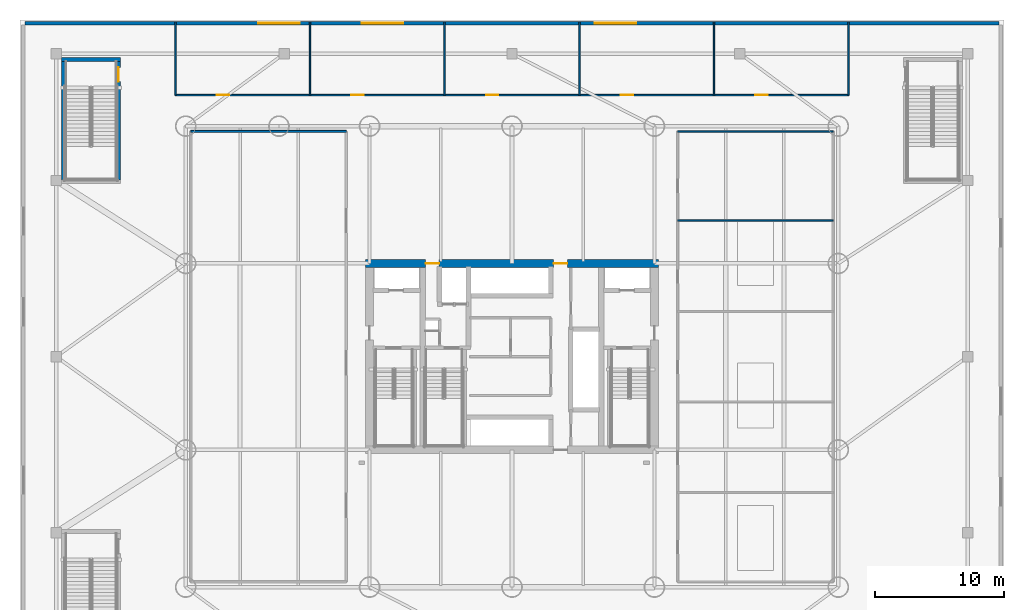
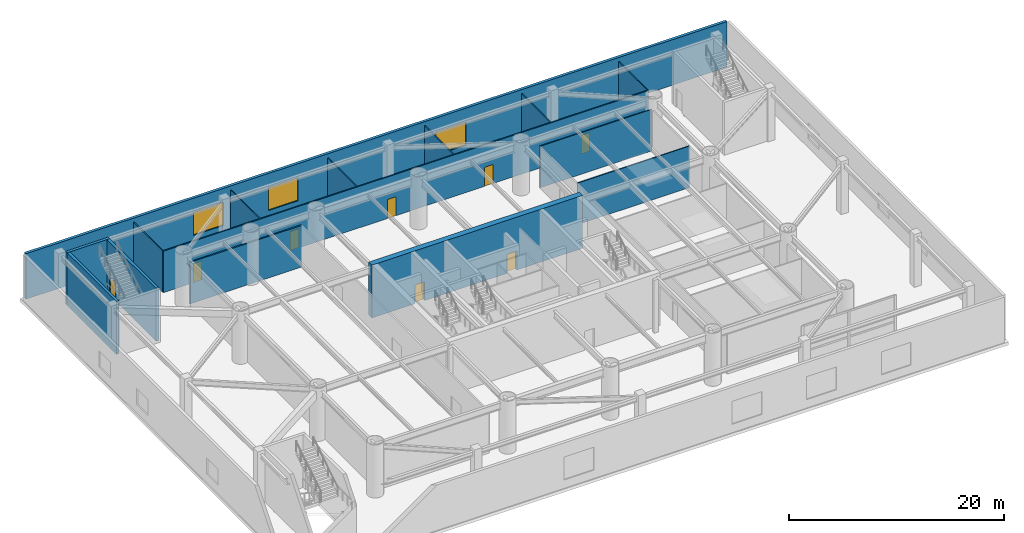
# One storey, part 8 of 17: 15 walls, 8 doors, 3 windows, 11 openings.
"""IFC4 building model written with IfcOpenShell, lengths in metres."""

from ifc_helpers import new_model, si_unit, direction, frame, frame_2d, origin, place, context, subcontext, project, spatial, rectangle, extrude, material, layer, layer_set, type_object, element, fill, save


model = new_model("IFC4")

# Units and contexts
model_context = context("Model", 3, precision=1e-05, world=origin(), true_north=direction((0.0, 1.0)))
body_context = subcontext(model_context, "Body", "Model", "MODEL_VIEW")
ifc_project = project(units=[si_unit("LENGTHUNIT", "METRE"), si_unit("AREAUNIT", "SQUARE_METRE"), si_unit("VOLUMEUNIT", "CUBIC_METRE"), si_unit("PLANEANGLEUNIT", "RADIAN"), si_unit("MASSUNIT", "GRAM", prefix="KILO")], contexts=[model_context])

# Site, building, storey
site_placement = place(None, origin())
site = spatial("IfcSite", under=ifc_project, at=site_placement, CompositionType="ELEMENT")
building_placement = place(site_placement, origin())
building = spatial("IfcBuilding", under=site, at=building_placement, Name="Bramvorn Convention Spire", CompositionType="ELEMENT")
storey_placement = place(building_placement, frame((0.0, 0.0, 24.0)))
storey = spatial("IfcBuildingStorey", under=building, at=storey_placement, Name="L04", CompositionType="ELEMENT", Elevation=24.0)

# Wall, openings, doors
ifc_material_1 = material(Name="Concrete C60/70", Category="concrete")
ifc_layer_1 = layer(ifc_material_1, 0.60009765625)
ifc_layer_set_1 = layer_set([ifc_layer_1], Name="Concrete C60/70 - WL-CORE-600")
wall_type_1 = type_object("IfcWallType", Name="WL-CORE-600", PredefinedType="SHEAR", material=ifc_layer_set_1)
wall_1_placement = place(storey_placement, frame((26.699951171875, 33.199951171875, 0.0), z_axis=(0.0, 0.0, 1.0), x_axis=(1.0, 0.0, 0.0)))
wall_1 = element("IfcWall", 1, at=wall_1_placement, inside=storey, type_object=wall_type_1, Name="L04 North RC core shear wall", PredefinedType="SHEAR", context=body_context, shape_type="SweptSolid", body=[
    extrude(rectangle(XDim=22.60009765625, YDim=0.60009765625, at=frame_2d((11.300048828125, 0.0))), origin(), (0.0, 0.0, 1.0), 6.0),
])
opening_1_placement = place(wall_1_placement, frame((4.6201171875, 0.0, 0.0)))
opening_1 = element("IfcOpeningElement", 2, at=opening_1_placement, cuts=wall_1, Name="Opening DL-105", PredefinedType="OPENING", context=body_context, shape_type="SweptSolid", body=[
    extrude(rectangle(XDim=1.050048828125, YDim=2.14990234375, at=frame_2d((0.52490234375, 1.074951171875))), frame((0.0, 0.31005859375, 0.0), z_axis=(0.0, -1.0, 0.0), x_axis=(1.0, 0.0, 0.0)), (0.0, 0.0, 1.0), 0.6201171875),
])
opening_2_placement = place(wall_1_placement, frame((14.52001953125, 0.0, 0.0)))
opening_2 = element("IfcOpeningElement", 3, at=opening_2_placement, cuts=wall_1, Name="Opening DL-105", PredefinedType="OPENING", context=body_context, shape_type="SweptSolid", body=[
    extrude(rectangle(XDim=1.050048828125, YDim=2.14990234375, at=frame_2d((0.52490234375, 1.074951171875))), frame((0.0, 0.31005859375, 0.0), z_axis=(0.0, -1.0, 0.0), x_axis=(1.0, 0.0, 0.0)), (0.0, 0.0, 1.0), 0.6201171875),
])
ifc_material_2 = material(Name="Smoke-Sealed Fire Lobby Timber-Core Door", Category="wood")
door_type_1 = type_object("IfcDoorType", Name="DR-LOBBY-1050", OperationType="NOTDEFINED", PredefinedType="DOOR", material=ifc_material_2)
door_1_placement = place(opening_1_placement, origin())
door_1 = element("IfcDoor", 4, at=door_1_placement, inside=storey, type_object=door_type_1, Name="L04 Service & Stair ST3 Lobby north corridor door", OperationType="SINGLE_SWING_LEFT", OverallHeight=2.14990234375, OverallWidth=1.050048828125, PredefinedType="DOOR", context=body_context, shape_type="SweptSolid", body=[
    extrude(rectangle(XDim=1.050048828125, YDim=2.14990234375, at=frame_2d((0.52490234375, 1.074951171875))), frame((0.0, 0.02490234375, 0.0), z_axis=(0.0, -1.0, 0.0), x_axis=(1.0, 0.0, 0.0)), (0.0, 0.0, 1.0), 0.050048828125),
])
fill(opening_1, door_1)
door_2_placement = place(opening_2_placement, origin())
door_2 = element("IfcDoor", 5, at=door_2_placement, inside=storey, type_object=door_type_1, Name="L04 North Lift Lobby fire door", OperationType="SINGLE_SWING_LEFT", OverallHeight=2.14990234375, OverallWidth=1.050048828125, PredefinedType="DOOR", context=body_context, shape_type="SweptSolid", body=[
    extrude(rectangle(XDim=1.050048828125, YDim=2.14990234375, at=frame_2d((0.52490234375, 1.074951171875))), frame((0.0, 0.02490234375, 0.0), z_axis=(0.0, -1.0, 0.0), x_axis=(1.0, 0.0, 0.0)), (0.0, 0.0, 1.0), 0.050048828125),
])
fill(opening_2, door_2)

# Wall, openings, windows
ifc_material_3 = material(Name="Precast Concrete C40/50 with Bronze Terracotta Rainscreen", Category="masonry")
ifc_layer_2 = layer(ifc_material_3, 0.300048828125)
ifc_layer_set_2 = layer_set([ifc_layer_2], Name="Precast Concrete C40/50 with Bronze Terracotta Rainscreen - WL-EXT-BRONZE-300")
wall_type_2 = type_object("IfcWallType", Name="WL-EXT-BRONZE-300", PredefinedType="SOLIDWALL", material=ifc_layer_set_2)
wall_2_placement = place(storey_placement, frame((0.39990234375, 51.75, 0.0), z_axis=(0.0, 0.0, 1.0), x_axis=(1.0, 0.0, 0.0)))
wall_2 = element("IfcWall", 6, at=wall_2_placement, inside=storey, type_object=wall_type_2, Name="L04 North podium bronze facade wall", PredefinedType="SOLIDWALL", context=body_context, shape_type="SweptSolid", body=[
    extrude(rectangle(XDim=75.2001953125, YDim=0.300048828125, at=frame_2d((37.60009765625, 0.0))), origin(), (0.0, 0.0, 1.0), 5.159912109375),
])
opening_3_placement = place(wall_2_placement, frame((18.0, 0.0, 0.949951171875)))
opening_3 = element("IfcOpeningElement", 7, at=opening_3_placement, cuts=wall_2, Name="Opening WN10", PredefinedType="OPENING", context=body_context, shape_type="SweptSolid", body=[
    extrude(rectangle(XDim=3.199951171875, YDim=2.60009765625, at=frame_2d((1.60009765625, 1.300048828125))), frame((0.0, 0.159912109375, 0.0), z_axis=(0.0, -1.0, 0.0), x_axis=(1.0, 0.0, 0.0)), (0.0, 0.0, 1.0), 0.320068359375),
])
opening_4_placement = place(wall_2_placement, frame((26.0, 0.0, 0.949951171875)))
opening_4 = element("IfcOpeningElement", 8, at=opening_4_placement, cuts=wall_2, Name="Opening WN10", PredefinedType="OPENING", context=body_context, shape_type="SweptSolid", body=[
    extrude(rectangle(XDim=3.199951171875, YDim=2.60009765625, at=frame_2d((1.60009765625, 1.300048828125))), frame((0.0, 0.159912109375, 0.0), z_axis=(0.0, -1.0, 0.0), x_axis=(1.0, 0.0, 0.0)), (0.0, 0.0, 1.0), 0.320068359375),
])
opening_5_placement = place(wall_2_placement, frame((44.0, 0.0, 0.949951171875)))
opening_5 = element("IfcOpeningElement", 9, at=opening_5_placement, cuts=wall_2, Name="Opening WN10", PredefinedType="OPENING", context=body_context, shape_type="SweptSolid", body=[
    extrude(rectangle(XDim=3.199951171875, YDim=2.60009765625, at=frame_2d((1.60009765625, 1.300048828125))), frame((0.0, 0.159912109375, 0.0), z_axis=(0.0, -1.0, 0.0), x_axis=(1.0, 0.0, 0.0)), (0.0, 0.0, 1.0), 0.320068359375),
])
ifc_material_4 = material(Name="Thermally Broken Bronze Aluminium & Triple Low-E Glass", Category="aluminium")
window_type = type_object("IfcWindowType", Name="WN-POD-3200X2600", PartitioningType="SINGLE_PANEL", PredefinedType="WINDOW", material=ifc_material_4)
window_1_placement = place(opening_3_placement, origin())
window_1 = element("IfcWindow", 10, at=window_1_placement, inside=storey, type_object=window_type, Name="L04 North operable convention window 2", OverallHeight=2.60009765625, OverallWidth=3.199951171875, PartitioningType="SINGLE_PANEL", PredefinedType="WINDOW", context=body_context, shape_type="SweptSolid", body=[
    extrude(rectangle(XDim=3.199951171875, YDim=2.60009765625, at=frame_2d((1.60009765625, 1.300048828125))), frame((0.0, 0.030029296875, 0.0), z_axis=(0.0, -1.0, 0.0), x_axis=(1.0, 0.0, 0.0)), (0.0, 0.0, 1.0), 0.06005859375),
])
fill(opening_3, window_1)
window_2_placement = place(opening_4_placement, origin())
window_2 = element("IfcWindow", 11, at=window_2_placement, inside=storey, type_object=window_type, Name="L04 North operable convention window 3", OverallHeight=2.60009765625, OverallWidth=3.199951171875, PartitioningType="SINGLE_PANEL", PredefinedType="WINDOW", context=body_context, shape_type="SweptSolid", body=[
    extrude(rectangle(XDim=3.199951171875, YDim=2.60009765625, at=frame_2d((1.60009765625, 1.300048828125))), frame((0.0, 0.030029296875, 0.0), z_axis=(0.0, -1.0, 0.0), x_axis=(1.0, 0.0, 0.0)), (0.0, 0.0, 1.0), 0.06005859375),
])
fill(opening_4, window_2)
window_3_placement = place(opening_5_placement, origin())
window_3 = element("IfcWindow", 12, at=window_3_placement, inside=storey, type_object=window_type, Name="L04 North operable convention window 4", OverallHeight=2.60009765625, OverallWidth=3.199951171875, PartitioningType="SINGLE_PANEL", PredefinedType="WINDOW", context=body_context, shape_type="SweptSolid", body=[
    extrude(rectangle(XDim=3.199951171875, YDim=2.60009765625, at=frame_2d((1.60009765625, 1.300048828125))), frame((0.0, 0.030029296875, 0.0), z_axis=(0.0, -1.0, 0.0), x_axis=(1.0, 0.0, 0.0)), (0.0, 0.0, 1.0), 0.06005859375),
])
fill(opening_5, window_3)

# Walls
ifc_material_5 = material(Name="Lightweight En-Suite & Wet-Wall Partition", Category="gypsum")
ifc_layer_3 = layer(ifc_material_5, 0.110107421875)
ifc_layer_set_3 = layer_set([ifc_layer_3], Name="Lightweight En-Suite & Wet-Wall Partition - WL-PART-110")
wall_type_3 = type_object("IfcWallType", Name="WL-PART-110", PredefinedType="PARTITIONING", material=ifc_layer_set_3)
for number, where, z_axis, x_axis, name in (
    (13, (50.800048828125, 36.5, 0.0), (0.0, 0.0, 1.0), (1.0, 0.0, 0.0), "L04 Seminar divider 4"),
    (14, (50.800048828125, 43.39990234375, 0.0), (0.0, 0.0, 1.0), (1.0, 0.0, 0.0), "L04 Seminar north wall"),
):
    element("IfcWall", number, at=place(storey_placement, frame(where, z_axis=z_axis, x_axis=x_axis)), inside=storey, type_object=wall_type_3, Name=name, PredefinedType="PARTITIONING", context=body_context, shape_type="SweptSolid", body=[
        extrude(rectangle(XDim=12.0, YDim=0.110107421875, at=frame_2d((6.0, 0.0))), origin(), (0.0, 0.0, 1.0), 4.7099609375),
    ])
for number, where, z_axis, x_axis, name in (
    (15, (12.0, 46.199951171875, 0.0), (0.0, 0.0, 1.0), (0.0, 1.0, 0.0), "L04 North divider 0"),
    (16, (22.39990234375, 46.199951171875, 0.0), (0.0, 0.0, 1.0), (0.0, 1.0, 0.0), "L04 North divider 1"),
    (17, (32.800048828125, 46.199951171875, 0.0), (0.0, 0.0, 1.0), (0.0, 1.0, 0.0), "L04 North divider 2"),
    (18, (43.199951171875, 46.199951171875, 0.0), (0.0, 0.0, 1.0), (0.0, 1.0, 0.0), "L04 North divider 3"),
    (19, (53.60009765625, 46.199951171875, 0.0), (0.0, 0.0, 1.0), (0.0, 1.0, 0.0), "L04 North divider 4"),
    (20, (64.0, 46.199951171875, 0.0), (0.0, 0.0, 1.0), (0.0, 1.0, 0.0), "L04 North east end wall"),
):
    element("IfcWall", number, at=place(storey_placement, frame(where, z_axis=z_axis, x_axis=x_axis)), inside=storey, type_object=wall_type_3, Name=name, PredefinedType="PARTITIONING", context=body_context, shape_type="SweptSolid", body=[
        extrude(rectangle(XDim=5.66015625, YDim=0.110107421875, at=frame_2d((2.830078125, 0.0))), origin(), (0.0, 0.0, 1.0), 4.7099609375),
    ])

# Wall, openings, doors
ifc_material_6 = material(Name="Metal-Stud Demountable Office Partition", Category="gypsum")
ifc_layer_4 = layer(ifc_material_6, 0.1298828125)
ifc_layer_set_4 = layer_set([ifc_layer_4], Name="Metal-Stud Demountable Office Partition - WL-PART-130")
wall_type_4 = type_object("IfcWallType", Name="WL-PART-130", PredefinedType="PARTITIONING", material=ifc_layer_set_4)
wall_3_placement = place(storey_placement, frame((12.0, 46.199951171875, 0.0), z_axis=(0.0, 0.0, 1.0), x_axis=(1.0, 0.0, 0.0)))
wall_3 = element("IfcWall", 21, at=wall_3_placement, inside=storey, type_object=wall_type_4, Name="L04 North Congress suite wall", PredefinedType="PARTITIONING", context=body_context, shape_type="SweptSolid", body=[
    extrude(rectangle(XDim=52.0, YDim=0.1298828125, at=frame_2d((26.0, 0.0))), origin(), (0.0, 0.0, 1.0), 4.7099609375),
])
opening_6_placement = place(wall_3_placement, frame((3.199951171875, 0.0, 0.0)))
opening_6 = element("IfcOpeningElement", 22, at=opening_6_placement, cuts=wall_3, Name="Opening DI-095", PredefinedType="OPENING", context=body_context, shape_type="SweptSolid", body=[
    extrude(rectangle(XDim=0.949951171875, YDim=2.14990234375, at=frame_2d((0.47509765625, 1.074951171875))), frame((0.0, 0.074951171875, 0.0), z_axis=(0.0, -1.0, 0.0), x_axis=(1.0, 0.0, 0.0)), (0.0, 0.0, 1.0), 0.14990234375),
])
opening_7_placement = place(wall_3_placement, frame((13.60009765625, 0.0, 0.0)))
opening_7 = element("IfcOpeningElement", 23, at=opening_7_placement, cuts=wall_3, Name="Opening DI-095", PredefinedType="OPENING", context=body_context, shape_type="SweptSolid", body=[
    extrude(rectangle(XDim=0.949951171875, YDim=2.14990234375, at=frame_2d((0.47509765625, 1.074951171875))), frame((0.0, 0.074951171875, 0.0), z_axis=(0.0, -1.0, 0.0), x_axis=(1.0, 0.0, 0.0)), (0.0, 0.0, 1.0), 0.14990234375),
])
opening_8_placement = place(wall_3_placement, frame((24.0, 0.0, 0.0)))
opening_8 = element("IfcOpeningElement", 24, at=opening_8_placement, cuts=wall_3, Name="Opening DI-095", PredefinedType="OPENING", context=body_context, shape_type="SweptSolid", body=[
    extrude(rectangle(XDim=0.949951171875, YDim=2.14990234375, at=frame_2d((0.47509765625, 1.074951171875))), frame((0.0, 0.074951171875, 0.0), z_axis=(0.0, -1.0, 0.0), x_axis=(1.0, 0.0, 0.0)), (0.0, 0.0, 1.0), 0.14990234375),
])
opening_9_placement = place(wall_3_placement, frame((34.39990234375, 0.0, 0.0)))
opening_9 = element("IfcOpeningElement", 25, at=opening_9_placement, cuts=wall_3, Name="Opening DI-095", PredefinedType="OPENING", context=body_context, shape_type="SweptSolid", body=[
    extrude(rectangle(XDim=0.949951171875, YDim=2.14990234375, at=frame_2d((0.47509765625, 1.074951171875))), frame((0.0, 0.074951171875, 0.0), z_axis=(0.0, -1.0, 0.0), x_axis=(1.0, 0.0, 0.0)), (0.0, 0.0, 1.0), 0.14990234375),
])
opening_10_placement = place(wall_3_placement, frame((44.800048828125, 0.0, 0.0)))
opening_10 = element("IfcOpeningElement", 26, at=opening_10_placement, cuts=wall_3, Name="Opening DI-095", PredefinedType="OPENING", context=body_context, shape_type="SweptSolid", body=[
    extrude(rectangle(XDim=0.949951171875, YDim=2.14990234375, at=frame_2d((0.47509765625, 1.074951171875))), frame((0.0, 0.074951171875, 0.0), z_axis=(0.0, -1.0, 0.0), x_axis=(1.0, 0.0, 0.0)), (0.0, 0.0, 1.0), 0.14990234375),
])
ifc_material_7 = material(Name="Stained White-Oak Acoustic Suite Door", Category="wood")
door_type_2 = type_object("IfcDoorType", Name="DR-INT-950", OperationType="NOTDEFINED", PredefinedType="DOOR", material=ifc_material_7)
door_3_placement = place(opening_6_placement, origin())
door_3 = element("IfcDoor", 27, at=door_3_placement, inside=storey, type_object=door_type_2, Name="L04 Press Briefing Room door", OperationType="SINGLE_SWING_LEFT", OverallHeight=2.14990234375, OverallWidth=0.949951171875, PredefinedType="DOOR", context=body_context, shape_type="SweptSolid", body=[
    extrude(rectangle(XDim=0.949951171875, YDim=2.14990234375, at=frame_2d((0.47509765625, 1.074951171875))), frame((0.0, 0.02490234375, 0.0), z_axis=(0.0, -1.0, 0.0), x_axis=(1.0, 0.0, 0.0)), (0.0, 0.0, 1.0), 0.050048828125),
])
fill(opening_6, door_3)
door_4_placement = place(opening_7_placement, origin())
door_4 = element("IfcDoor", 28, at=door_4_placement, inside=storey, type_object=door_type_2, Name="L04 VIP Speaker Suite door", OperationType="SINGLE_SWING_LEFT", OverallHeight=2.14990234375, OverallWidth=0.949951171875, PredefinedType="DOOR", context=body_context, shape_type="SweptSolid", body=[
    extrude(rectangle(XDim=0.949951171875, YDim=2.14990234375, at=frame_2d((0.47509765625, 1.074951171875))), frame((0.0, 0.02490234375, 0.0), z_axis=(0.0, -1.0, 0.0), x_axis=(1.0, 0.0, 0.0)), (0.0, 0.0, 1.0), 0.050048828125),
])
fill(opening_7, door_4)
door_5_placement = place(opening_8_placement, origin())
door_5 = element("IfcDoor", 29, at=door_5_placement, inside=storey, type_object=door_type_2, Name="L04 Congress Public Restrooms door", OperationType="SINGLE_SWING_LEFT", OverallHeight=2.14990234375, OverallWidth=0.949951171875, PredefinedType="DOOR", context=body_context, shape_type="SweptSolid", body=[
    extrude(rectangle(XDim=0.949951171875, YDim=2.14990234375, at=frame_2d((0.47509765625, 1.074951171875))), frame((0.0, 0.02490234375, 0.0), z_axis=(0.0, -1.0, 0.0), x_axis=(1.0, 0.0, 0.0)), (0.0, 0.0, 1.0), 0.050048828125),
])
fill(opening_8, door_5)
door_6_placement = place(opening_9_placement, origin())
door_6 = element("IfcDoor", 30, at=door_6_placement, inside=storey, type_object=door_type_2, Name="L04 Banquet Plating Kitchen door", OperationType="SINGLE_SWING_LEFT", OverallHeight=2.14990234375, OverallWidth=0.949951171875, PredefinedType="DOOR", context=body_context, shape_type="SweptSolid", body=[
    extrude(rectangle(XDim=0.949951171875, YDim=2.14990234375, at=frame_2d((0.47509765625, 1.074951171875))), frame((0.0, 0.02490234375, 0.0), z_axis=(0.0, -1.0, 0.0), x_axis=(1.0, 0.0, 0.0)), (0.0, 0.0, 1.0), 0.050048828125),
])
fill(opening_9, door_6)
door_7_placement = place(opening_10_placement, origin())
door_7 = element("IfcDoor", 31, at=door_7_placement, inside=storey, type_object=door_type_2, Name="L04 Simultaneous Interpretation Hub door", OperationType="SINGLE_SWING_LEFT", OverallHeight=2.14990234375, OverallWidth=0.949951171875, PredefinedType="DOOR", context=body_context, shape_type="SweptSolid", body=[
    extrude(rectangle(XDim=0.949951171875, YDim=2.14990234375, at=frame_2d((0.47509765625, 1.074951171875))), frame((0.0, 0.02490234375, 0.0), z_axis=(0.0, -1.0, 0.0), x_axis=(1.0, 0.0, 0.0)), (0.0, 0.0, 1.0), 0.050048828125),
])
fill(opening_10, door_7)

# Walls
ifc_material_8 = material(Name="Acoustic Metal-Stud Tenant/Corridor Partition", Category="gypsum")
ifc_layer_5 = layer(ifc_material_8, 0.14990234375)
ifc_layer_set_5 = layer_set([ifc_layer_5], Name="Acoustic Metal-Stud Tenant/Corridor Partition - WL-PART-150")
wall_type_5 = type_object("IfcWallType", Name="WL-PART-150", PredefinedType="PARTITIONING", material=ifc_layer_set_5)
wall_4_placement = place(storey_placement, frame((13.199951171875, 43.39990234375, 0.0), z_axis=(0.0, 0.0, 1.0), x_axis=(1.0, 0.0, 0.0)))
element("IfcWall", 32, at=wall_4_placement, inside=storey, type_object=wall_type_5, Name="L04 Ballroom north wall", PredefinedType="PARTITIONING", context=body_context, shape_type="SweptSolid", body=[
    extrude(rectangle(XDim=12.0, YDim=0.14990234375, at=frame_2d((6.0, 0.0))), origin(), (0.0, 0.0, 1.0), 4.7099609375),
])
ifc_material_9 = material(Name="Concrete C50/60", Category="concrete")
ifc_layer_6 = layer(ifc_material_9, 0.300048828125)
ifc_layer_set_6 = layer_set([ifc_layer_6], Name="Concrete C50/60 - WL-POD-STAIR-300")
wall_type_6 = type_object("IfcWallType", Name="WL-POD-STAIR-300", PredefinedType="SHEAR", material=ifc_layer_set_6)
wall_5_placement = place(storey_placement, frame((3.2099609375, 48.93994140625, 0.0), z_axis=(0.0, 0.0, 1.0), x_axis=(1.0, 0.0, 0.0)))
element("IfcWall", 33, at=wall_5_placement, inside=storey, type_object=wall_type_6, Name="L04 ST6 north shaft wall", PredefinedType="SHEAR", context=body_context, shape_type="SweptSolid", body=[
    extrude(rectangle(XDim=4.56005859375, YDim=0.300048828125, at=frame_2d((2.280029296875, 0.0))), origin(), (0.0, 0.0, 1.0), 6.0),
])
wall_6_placement = place(storey_placement, frame((3.360107421875, 39.659912109375, 0.0), z_axis=(0.0, 0.0, 1.0), x_axis=(0.0, 1.0, 0.0)))
element("IfcWall", 34, at=wall_6_placement, inside=storey, type_object=wall_type_6, Name="L04 ST6 west shaft wall", PredefinedType="SHEAR", context=body_context, shape_type="SweptSolid", body=[
    extrude(rectangle(XDim=9.130126953125, YDim=0.300048828125, at=frame_2d((4.56494140625, 0.0))), origin(), (0.0, 0.0, 1.0), 6.0),
])

# Wall, opening, door
wall_7_placement = place(storey_placement, frame((7.6201171875, 48.7900390625, 0.0), z_axis=(0.0, 0.0, 1.0), x_axis=(0.0, -1.0, 0.0)))
wall_7 = element("IfcWall", 35, at=wall_7_placement, inside=storey, type_object=wall_type_6, Name="L04 ST6 east shaft wall", PredefinedType="SHEAR", context=body_context, shape_type="SweptSolid", body=[
    extrude(rectangle(XDim=9.130126953125, YDim=0.300048828125, at=frame_2d((4.56494140625, 0.0))), origin(), (0.0, 0.0, 1.0), 6.0),
])
opening_11_placement = place(wall_7_placement, frame((0.449951171875, 0.0, 0.0)))
opening_11 = element("IfcOpeningElement", 36, at=opening_11_placement, cuts=wall_7, Name="Opening DS-110", PredefinedType="OPENING", context=body_context, shape_type="SweptSolid", body=[
    extrude(rectangle(XDim=1.10009765625, YDim=2.14990234375, at=frame_2d((0.550048828125, 1.074951171875))), frame((0.0, 0.159912109375, 0.0), z_axis=(0.0, -1.0, 0.0), x_axis=(1.0, 0.0, 0.0)), (0.0, 0.0, 1.0), 0.320068359375),
])
ifc_material_10 = material(Name="Fire-Rated Hollow Steel Stairwell Door", Category="steel")
door_type_3 = type_object("IfcDoorType", Name="DR-STAIR-1100", OperationType="NOTDEFINED", PredefinedType="DOOR", material=ifc_material_10)
door_8_placement = place(opening_11_placement, origin())
door_8 = element("IfcDoor", 37, at=door_8_placement, inside=storey, type_object=door_type_3, Name="L04 ST6 exit stairwell door", OperationType="SINGLE_SWING_LEFT", OverallHeight=2.14990234375, OverallWidth=1.10009765625, PredefinedType="DOOR", context=body_context, shape_type="SweptSolid", body=[
    extrude(rectangle(XDim=1.10009765625, YDim=2.14990234375, at=frame_2d((0.550048828125, 1.074951171875))), frame((0.0, 0.02490234375, 0.0), z_axis=(0.0, -1.0, 0.0), x_axis=(1.0, 0.0, 0.0)), (0.0, 0.0, 1.0), 0.050048828125),
])
fill(opening_11, door_8)

save(model, "model.ifc")
